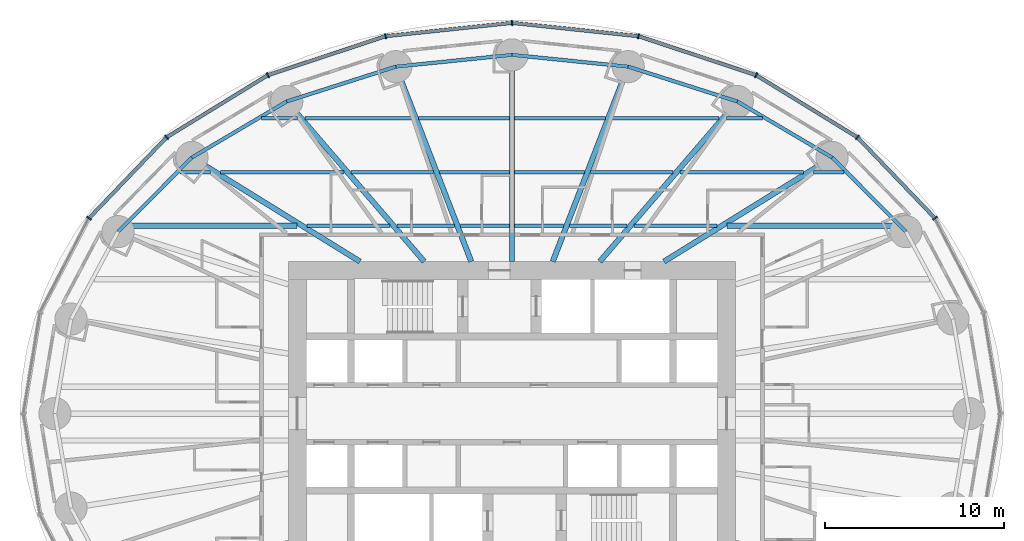
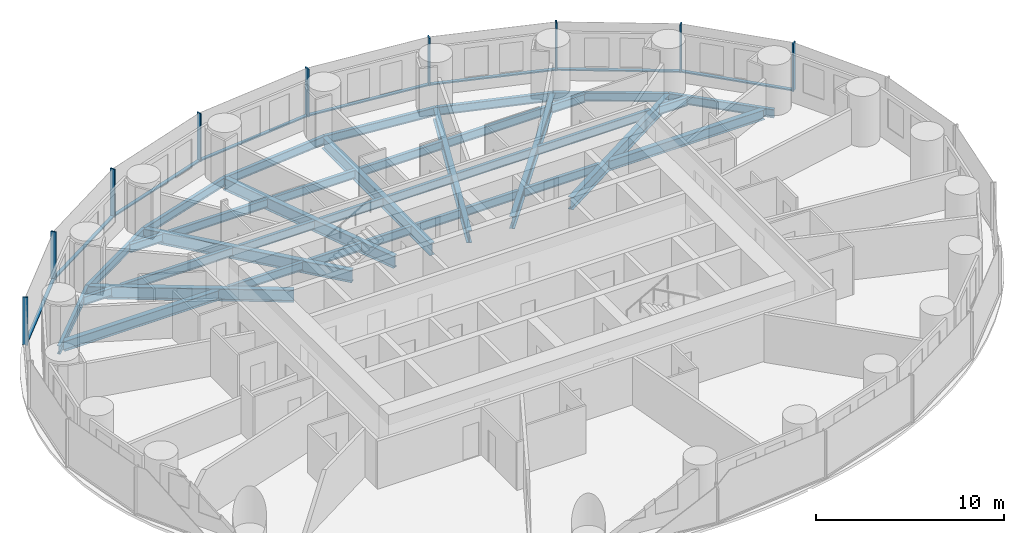
# One storey, part 4 of 13: 37 beams, 17 members, 2 elements without a shape of their own.
"""IFC4 building model written with IfcOpenShell, lengths in metres."""

from ifc_helpers import new_model, si_unit, direction, frame, origin, origin_2d, place, context, subcontext, project, spatial, rectangle, i_section, extrude, material, material_profile, profile_set, type_object, element, aggregate, save


model = new_model("IFC4")

# Units and contexts
model_context = context("Model", 3, precision=1e-05, world=origin(), true_north=direction((0.0, 1.0)))
body_context = subcontext(model_context, "Body", "Model", "MODEL_VIEW")
ifc_project = project(units=[si_unit("LENGTHUNIT", "METRE"), si_unit("AREAUNIT", "SQUARE_METRE"), si_unit("VOLUMEUNIT", "CUBIC_METRE"), si_unit("PLANEANGLEUNIT", "RADIAN"), si_unit("MASSUNIT", "GRAM", prefix="KILO")], contexts=[model_context])

# Site, building, storey
site_placement = place(None, origin())
site = spatial("IfcSite", under=ifc_project, at=site_placement, CompositionType="ELEMENT")
building_placement = place(site_placement, origin())
building = spatial("IfcBuilding", under=site, at=building_placement, Name="Hankou Lantern Tower", CompositionType="ELEMENT")
storey_placement = place(building_placement, frame((0.0, 0.0, 39.300048828125)))
storey = spatial("IfcBuildingStorey", under=building, at=storey_placement, Name="L08", CompositionType="ELEMENT", Elevation=39.300048828125)

# Beams
ifc_material_1 = material(Name="Steel Q355B", Category="steel")
ifc_material_profile_1 = material_profile(ifc_material_1, i_section(OverallWidth=0.199951171875, OverallDepth=0.550048828125, WebThickness=0.010009765625, FlangeThickness=0.01611328125, FilletRadius=0.012939453125, at=origin_2d()), Name="HN550x200x10x16")
ifc_profile_set_1 = profile_set([ifc_material_profile_1], Name="Steel Q355B")
beam_type_1 = type_object("IfcBeamType", Name="EB6 RING BEAM HN550x200x10x16", PredefinedType="SPANDREL", material=ifc_profile_set_1)
beam_1_placement = place(storey_placement, frame((22.01904296875, 10.170166015625, -0.455078125), z_axis=(-0.705727798394, 0.708483079949, 0.0), x_axis=(-0.708483079949, -0.705727798394, 0.0)))
element("IfcBeam", 1, at=beam_1_placement, inside=storey, type_object=beam_type_1, Name="Ring beam R03-R04 L08", PredefinedType="SPANDREL", context=body_context, shape_type="SweptSolid", body=[
    extrude(i_section(OverallWidth=0.199951171875, OverallDepth=0.550048828125, WebThickness=0.010009765625, FlangeThickness=0.01611328125, FilletRadius=0.012939453125, at=origin_2d()), origin(), (0.0, 0.0, 1.0), 5.84814453125),
])
beam_2_placement = place(storey_placement, frame((17.891845703125, 14.3134765625, -0.455078125), z_axis=(-0.860881533543, 0.508805449268, 0.0), x_axis=(-0.508805449268, -0.860881533543, 0.0)))
element("IfcBeam", 2, at=beam_2_placement, inside=storey, type_object=beam_type_1, Name="Ring beam R04-R05 L08", PredefinedType="SPANDREL", context=body_context, shape_type="SweptSolid", body=[
    extrude(i_section(OverallWidth=0.199951171875, OverallDepth=0.550048828125, WebThickness=0.010009765625, FlangeThickness=0.01611328125, FilletRadius=0.012939453125, at=origin_2d()), origin(), (0.0, 0.0, 1.0), 6.15771484375),
])
beam_3_placement = place(storey_placement, frame((12.5908203125, 17.446533203125, -0.455078125), z_axis=(-0.952690479428, 0.303942182671, 0.0), x_axis=(-0.303942182671, -0.952690479428, 0.0)))
element("IfcBeam", 3, at=beam_3_placement, inside=storey, type_object=beam_type_1, Name="Ring beam R05-R06 L08", PredefinedType="SPANDREL", context=body_context, shape_type="SweptSolid", body=[
    extrude(i_section(OverallWidth=0.199951171875, OverallDepth=0.550048828125, WebThickness=0.010009765625, FlangeThickness=0.01611328125, FilletRadius=0.012939453125, at=origin_2d()), origin(), (0.0, 0.0, 1.0), 6.398681640625),
])
for number, where, z_axis, x_axis, name in (
    (4, (6.494873046875, 19.391357421875, -0.455078125), (-0.994896616842, 0.100899562915, 0.0), (-0.100899562915, -0.994896616842, 0.0), "Ring beam R06-R07 L08"),
    (5, (0.0, 20.050048828125, -0.455078125), (-0.994896616842, -0.100899562915, 0.0), (0.100899562915, -0.994896616842, 0.0), "Ring beam R07-R08 L08"),
):
    element("IfcBeam", number, at=place(storey_placement, frame(where, z_axis=z_axis, x_axis=x_axis)), inside=storey, type_object=beam_type_1, Name=name, PredefinedType="SPANDREL", context=body_context, shape_type="SweptSolid", body=[
        extrude(i_section(OverallWidth=0.199951171875, OverallDepth=0.550048828125, WebThickness=0.010009765625, FlangeThickness=0.01611328125, FilletRadius=0.012939453125, at=origin_2d()), origin(), (0.0, 0.0, 1.0), 6.528076171875),
    ])
beam_4_placement = place(storey_placement, frame((-6.494873046875, 19.391357421875, -0.455078125), z_axis=(-0.952690479428, -0.303942182671, 0.0), x_axis=(0.303942182671, -0.952690479428, 0.0)))
element("IfcBeam", 6, at=beam_4_placement, inside=storey, type_object=beam_type_1, Name="Ring beam R08-R09 L08", PredefinedType="SPANDREL", context=body_context, shape_type="SweptSolid", body=[
    extrude(i_section(OverallWidth=0.199951171875, OverallDepth=0.550048828125, WebThickness=0.010009765625, FlangeThickness=0.01611328125, FilletRadius=0.012939453125, at=origin_2d()), origin(), (0.0, 0.0, 1.0), 6.398681640625),
])
beam_5_placement = place(storey_placement, frame((-12.5908203125, 17.446533203125, -0.455078125), z_axis=(-0.860881533543, -0.508805449268, 0.0), x_axis=(0.508805449268, -0.860881533543, 0.0)))
element("IfcBeam", 7, at=beam_5_placement, inside=storey, type_object=beam_type_1, Name="Ring beam R09-R10 L08", PredefinedType="SPANDREL", context=body_context, shape_type="SweptSolid", body=[
    extrude(i_section(OverallWidth=0.199951171875, OverallDepth=0.550048828125, WebThickness=0.010009765625, FlangeThickness=0.01611328125, FilletRadius=0.012939453125, at=origin_2d()), origin(), (0.0, 0.0, 1.0), 6.15771484375),
])
beam_6_placement = place(storey_placement, frame((-17.891845703125, 14.3134765625, -0.455078125), z_axis=(-0.705727798394, -0.708483079949, 0.0), x_axis=(0.708483079949, -0.705727798394, 0.0)))
element("IfcBeam", 8, at=beam_6_placement, inside=storey, type_object=beam_type_1, Name="Ring beam R10-R11 L08", PredefinedType="SPANDREL", context=body_context, shape_type="SweptSolid", body=[
    extrude(i_section(OverallWidth=0.199951171875, OverallDepth=0.550048828125, WebThickness=0.010009765625, FlangeThickness=0.01611328125, FilletRadius=0.012939453125, at=origin_2d()), origin(), (0.0, 0.0, 1.0), 5.84814453125),
])

# Curtain wall, members
ifc_material_2 = material(Name="Glass, dark grey tinted laminated", Category="glass")
curtain_wall_type = type_object("IfcCurtainWallType", Name="CWA OUTER SKIN LOW-RISE", PredefinedType="USERDEFINED", material=ifc_material_2)
curtain_wall_1_placement = place(storey_placement, origin())
curtain_wall_1 = element("IfcCurtainWall", 9, at=curtain_wall_1_placement, inside=storey, type_object=curtain_wall_type, Name="CWA L08 OS1", ObjectType="OUTER SKIN LOW-RISE", PredefinedType="USERDEFINED")
ifc_material_3 = material(Name="Aluminium, black anodised", Category="aluminium")
ifc_material_profile_2 = material_profile(ifc_material_3, rectangle(XDim=0.080078125, YDim=0.300048828125, at=origin_2d()), Name="MU1 80X300")
ifc_profile_set_2 = profile_set([ifc_material_profile_2], Name="Aluminium, black anodised")
member_type_1 = type_object("IfcMemberType", Name="MU1 OUTER SKIN MULLION 80X300", PredefinedType="MULLION", material=ifc_profile_set_2)
member_1_placement = place(storey_placement, frame((23.642578125, 10.919921875, 0.0), z_axis=(0.0, 0.0, 1.0), x_axis=(-0.585205735974, 0.810884854084, 0.0)))
member_1 = element("IfcMember", 10, at=member_1_placement, type_object=member_type_1, Name="CWA mullion 3", PredefinedType="MULLION", context=body_context, shape_type="SweptSolid", body=[
    extrude(rectangle(XDim=0.080078125, YDim=0.300048828125, at=origin_2d()), origin(), (0.0, 0.0, 1.0), 3.119873046875),
])
member_2_placement = place(storey_placement, frame((19.303955078125, 15.443115234375, 0.0), z_axis=(0.0, 0.0, 1.0), x_axis=(-0.780868809444, 0.624695047553, 0.0)))
member_2 = element("IfcMember", 11, at=member_2_placement, type_object=member_type_1, Name="CWA mullion 4", PredefinedType="MULLION", context=body_context, shape_type="SweptSolid", body=[
    extrude(rectangle(XDim=0.080078125, YDim=0.300048828125, at=origin_2d()), origin(), (0.0, 0.0, 1.0), 3.119873046875),
])
member_3_placement = place(storey_placement, frame((13.64990234375, 18.9140625, 0.0), z_axis=(0.0, 0.0, 1.0), x_axis=(-0.907841299004, 0.419313934686, 0.0)))
member_3 = element("IfcMember", 12, at=member_3_placement, type_object=member_type_1, Name="CWA mullion 5", PredefinedType="MULLION", context=body_context, shape_type="SweptSolid", body=[
    extrude(rectangle(XDim=0.080078125, YDim=0.300048828125, at=origin_2d()), origin(), (0.0, 0.0, 1.0), 3.119873046875),
])
member_4_placement = place(storey_placement, frame((7.065673828125, 21.095703125, 0.0), z_axis=(0.0, 0.0, 1.0), x_axis=(-0.977787659625, 0.209597931016, 0.0)))
member_4 = element("IfcMember", 13, at=member_4_placement, type_object=member_type_1, Name="CWA mullion 6", PredefinedType="MULLION", context=body_context, shape_type="SweptSolid", body=[
    extrude(rectangle(XDim=0.080078125, YDim=0.300048828125, at=origin_2d()), origin(), (0.0, 0.0, 1.0), 3.119873046875),
])

curtain_wall_2_placement = place(storey_placement, origin())
curtain_wall_2 = element("IfcCurtainWall", 14, at=curtain_wall_2_placement, inside=storey, type_object=curtain_wall_type, Name="CWA L08 OS2", ObjectType="OUTER SKIN LOW-RISE", PredefinedType="USERDEFINED")
member_5_placement = place(storey_placement, frame((0.0, 21.840087890625, 0.0), z_axis=(0.0, 0.0, 1.0), x_axis=(-0.994499359107, -0.104742659579, 0.0)))
member_5 = element("IfcMember", 15, at=member_5_placement, type_object=member_type_1, Name="CWA mullion 1", PredefinedType="MULLION", context=body_context, shape_type="SweptSolid", body=[
    extrude(rectangle(XDim=0.080078125, YDim=0.300048828125, at=origin_2d()), origin(), (0.0, 0.0, 1.0), 3.119873046875),
])
member_6_placement = place(storey_placement, frame((-7.065673828125, 21.095703125, 0.0), z_axis=(0.0, 0.0, 1.0), x_axis=(-0.977787659625, -0.209597931016, 0.0)))
member_6 = element("IfcMember", 16, at=member_6_placement, type_object=member_type_1, Name="CWA mullion 2", PredefinedType="MULLION", context=body_context, shape_type="SweptSolid", body=[
    extrude(rectangle(XDim=0.080078125, YDim=0.300048828125, at=origin_2d()), origin(), (0.0, 0.0, 1.0), 3.119873046875),
])
member_7_placement = place(storey_placement, frame((-13.64990234375, 18.9140625, 0.0), z_axis=(0.0, 0.0, 1.0), x_axis=(-0.907841299004, -0.419313934686, 0.0)))
member_7 = element("IfcMember", 17, at=member_7_placement, type_object=member_type_1, Name="CWA mullion 3", PredefinedType="MULLION", context=body_context, shape_type="SweptSolid", body=[
    extrude(rectangle(XDim=0.080078125, YDim=0.300048828125, at=origin_2d()), origin(), (0.0, 0.0, 1.0), 3.119873046875),
])
member_8_placement = place(storey_placement, frame((-19.303955078125, 15.443115234375, 0.0), z_axis=(0.0, 0.0, 1.0), x_axis=(-0.780868809444, -0.624695047553, 0.0)))
member_8 = element("IfcMember", 18, at=member_8_placement, type_object=member_type_1, Name="CWA mullion 4", PredefinedType="MULLION", context=body_context, shape_type="SweptSolid", body=[
    extrude(rectangle(XDim=0.080078125, YDim=0.300048828125, at=origin_2d()), origin(), (0.0, 0.0, 1.0), 3.119873046875),
])
member_9_placement = place(storey_placement, frame((-23.642578125, 10.919921875, 0.0), z_axis=(0.0, 0.0, 1.0), x_axis=(-0.585205735974, -0.810884854084, 0.0)))
member_9 = element("IfcMember", 19, at=member_9_placement, type_object=member_type_1, Name="CWA mullion 5", PredefinedType="MULLION", context=body_context, shape_type="SweptSolid", body=[
    extrude(rectangle(XDim=0.080078125, YDim=0.300048828125, at=origin_2d()), origin(), (0.0, 0.0, 1.0), 3.119873046875),
])

# Beams
ifc_material_4 = material(Name="Steel Q355B", Category="steel")
ifc_material_profile_3 = material_profile(ifc_material_4, i_section(OverallWidth=0.300048828125, OverallDepth=0.800048828125, WebThickness=0.013916015625, FlangeThickness=0.02587890625, FilletRadius=0.01806640625, at=origin_2d()), Name="HN800x300x14x26")
ifc_profile_set_3 = profile_set([ifc_material_profile_3], Name="Steel Q355B")
beam_type_2 = type_object("IfcBeamType", Name="RB11 RADIAL BEAM HN800x300x14x26", PredefinedType="BEAM", material=ifc_profile_set_3)
beam_7_placement = place(storey_placement, frame((8.5, 8.5, -0.580078125), z_axis=(0.850286343288, 0.526320372414, 0.0), x_axis=(-0.526320372414, 0.850286343288, 0.0)))
element("IfcBeam", 20, at=beam_7_placement, inside=storey, type_object=beam_type_2, Name="Radial beam R04 L08", PredefinedType="BEAM", context=body_context, shape_type="SweptSolid", body=[
    extrude(i_section(OverallWidth=0.300048828125, OverallDepth=0.800048828125, WebThickness=0.013916015625, FlangeThickness=0.02587890625, FilletRadius=0.01806640625, at=origin_2d()), origin(), (0.0, 0.0, 1.0), 11.04541015625),
])
beam_8_placement = place(storey_placement, frame((4.907470703125, 8.5, -0.580078125), z_axis=(0.651519061225, 0.758632264579, 0.0), x_axis=(-0.758632264579, 0.651519061225, 0.0)))
element("IfcBeam", 21, at=beam_8_placement, inside=storey, type_object=beam_type_2, Name="Radial beam R05 L08", PredefinedType="BEAM", context=body_context, shape_type="SweptSolid", body=[
    extrude(i_section(OverallWidth=0.300048828125, OverallDepth=0.800048828125, WebThickness=0.013916015625, FlangeThickness=0.02587890625, FilletRadius=0.01806640625, at=origin_2d()), origin(), (0.0, 0.0, 1.0), 11.79296875),
])
beam_9_placement = place(storey_placement, frame((2.277587890625, 8.5, -0.580078125), z_axis=(0.361089103374, 0.932531318201, 0.0), x_axis=(-0.932531318201, 0.361089103374, 0.0)))
element("IfcBeam", 22, at=beam_9_placement, inside=storey, type_object=beam_type_2, Name="Radial beam R06 L08", PredefinedType="BEAM", context=body_context, shape_type="SweptSolid", body=[
    extrude(i_section(OverallWidth=0.300048828125, OverallDepth=0.800048828125, WebThickness=0.013916015625, FlangeThickness=0.02587890625, FilletRadius=0.01806640625, at=origin_2d()), origin(), (0.0, 0.0, 1.0), 11.679443359375),
])
beam_10_placement = place(storey_placement, frame((0.0, 8.5, -0.580078125), z_axis=(0.0, 1.0, 0.0), x_axis=(-1.0, 0.0, 0.0)))
element("IfcBeam", 23, at=beam_10_placement, inside=storey, type_object=beam_type_2, Name="Radial beam R07 L08", PredefinedType="BEAM", context=body_context, shape_type="SweptSolid", body=[
    extrude(i_section(OverallWidth=0.300048828125, OverallDepth=0.800048828125, WebThickness=0.013916015625, FlangeThickness=0.02587890625, FilletRadius=0.01806640625, at=origin_2d()), origin(), (0.0, 0.0, 1.0), 11.550048828125),
])
beam_11_placement = place(storey_placement, frame((-2.277587890625, 8.5, -0.580078125), z_axis=(-0.361089103374, 0.932531318201, 0.0), x_axis=(-0.932531318201, -0.361089103374, 0.0)))
element("IfcBeam", 24, at=beam_11_placement, inside=storey, type_object=beam_type_2, Name="Radial beam R08 L08", PredefinedType="BEAM", context=body_context, shape_type="SweptSolid", body=[
    extrude(i_section(OverallWidth=0.300048828125, OverallDepth=0.800048828125, WebThickness=0.013916015625, FlangeThickness=0.02587890625, FilletRadius=0.01806640625, at=origin_2d()), origin(), (0.0, 0.0, 1.0), 11.679443359375),
])
beam_12_placement = place(storey_placement, frame((-4.907470703125, 8.5, -0.580078125), z_axis=(-0.651519061225, 0.758632264579, 0.0), x_axis=(-0.758632264579, -0.651519061225, 0.0)))
element("IfcBeam", 25, at=beam_12_placement, inside=storey, type_object=beam_type_2, Name="Radial beam R09 L08", PredefinedType="BEAM", context=body_context, shape_type="SweptSolid", body=[
    extrude(i_section(OverallWidth=0.300048828125, OverallDepth=0.800048828125, WebThickness=0.013916015625, FlangeThickness=0.02587890625, FilletRadius=0.01806640625, at=origin_2d()), origin(), (0.0, 0.0, 1.0), 11.79296875),
])
beam_13_placement = place(storey_placement, frame((-8.5, 8.5, -0.580078125), z_axis=(-0.850286343288, 0.526320372414, 0.0), x_axis=(-0.526320372414, -0.850286343288, 0.0)))
element("IfcBeam", 26, at=beam_13_placement, inside=storey, type_object=beam_type_2, Name="Radial beam R10 L08", PredefinedType="BEAM", context=body_context, shape_type="SweptSolid", body=[
    extrude(i_section(OverallWidth=0.300048828125, OverallDepth=0.800048828125, WebThickness=0.013916015625, FlangeThickness=0.02587890625, FilletRadius=0.01806640625, at=origin_2d()), origin(), (0.0, 0.0, 1.0), 11.04541015625),
])
ifc_material_5 = material(Name="Steel Q355B", Category="steel")
ifc_material_profile_4 = material_profile(ifc_material_5, i_section(OverallWidth=0.199951171875, OverallDepth=0.550048828125, WebThickness=0.010009765625, FlangeThickness=0.01611328125, FilletRadius=0.012939453125, at=origin_2d()), Name="HN550x200x10x16")
ifc_profile_set_4 = profile_set([ifc_material_profile_4], Name="Steel Q355B")
beam_type_3 = type_object("IfcBeamType", Name="SB6 SECONDARY BEAM HN550x200x10x16", PredefinedType="JOIST", material=ifc_profile_set_4)
beam_14_placement = place(storey_placement, frame((-11.446044921875, 10.5, -0.455078125), z_axis=(1.0, 0.0, 0.0), x_axis=(0.0, 1.0, 0.0)))
element("IfcBeam", 27, at=beam_14_placement, inside=storey, type_object=beam_type_3, Name="Floor joist J040 L08", PredefinedType="JOIST", context=body_context, shape_type="SweptSolid", body=[
    extrude(i_section(OverallWidth=0.199951171875, OverallDepth=0.550048828125, WebThickness=0.010009765625, FlangeThickness=0.01611328125, FilletRadius=0.012939453125, at=origin_2d()), origin(), (0.0, 0.0, 1.0), 4.623291015625),
])
beam_15_placement = place(storey_placement, frame((-6.427490234375, 10.5, -0.455078125), z_axis=(1.0, 0.0, 0.0), x_axis=(0.0, 1.0, 0.0)))
element("IfcBeam", 28, at=beam_15_placement, inside=storey, type_object=beam_type_3, Name="Floor joist J041 L08", PredefinedType="JOIST", context=body_context, shape_type="SweptSolid", body=[
    extrude(i_section(OverallWidth=0.199951171875, OverallDepth=0.550048828125, WebThickness=0.010009765625, FlangeThickness=0.01611328125, FilletRadius=0.012939453125, at=origin_2d()), origin(), (0.0, 0.0, 1.0), 3.214599609375),
])
for number, where, z_axis, x_axis, name in (
    (29, (-2.89111328125, 10.5, -0.455078125), (1.0, 0.0, 0.0), (0.0, 1.0, 0.0), "Floor joist J042 L08"),
    (30, (0.14990234375, 10.5, -0.455078125), (1.0, 0.0, 0.0), (0.0, 1.0, 0.0), "Floor joist J043 L08"),
):
    element("IfcBeam", number, at=place(storey_placement, frame(where, z_axis=z_axis, x_axis=x_axis)), inside=storey, type_object=beam_type_3, Name=name, PredefinedType="JOIST", context=body_context, shape_type="SweptSolid", body=[
        extrude(i_section(OverallWidth=0.199951171875, OverallDepth=0.550048828125, WebThickness=0.010009765625, FlangeThickness=0.01611328125, FilletRadius=0.012939453125, at=origin_2d()), origin(), (0.0, 0.0, 1.0), 2.7412109375),
    ])
beam_16_placement = place(storey_placement, frame((3.212890625, 10.5, -0.455078125), z_axis=(1.0, 0.0, 0.0), x_axis=(0.0, 1.0, 0.0)))
element("IfcBeam", 31, at=beam_16_placement, inside=storey, type_object=beam_type_3, Name="Floor joist J044 L08", PredefinedType="JOIST", context=body_context, shape_type="SweptSolid", body=[
    extrude(i_section(OverallWidth=0.199951171875, OverallDepth=0.550048828125, WebThickness=0.010009765625, FlangeThickness=0.01611328125, FilletRadius=0.012939453125, at=origin_2d()), origin(), (0.0, 0.0, 1.0), 3.214599609375),
])
beam_17_placement = place(storey_placement, frame((6.82275390625, 10.5, -0.455078125), z_axis=(1.0, 0.0, 0.0), x_axis=(0.0, 1.0, 0.0)))
element("IfcBeam", 32, at=beam_17_placement, inside=storey, type_object=beam_type_3, Name="Floor joist J045 L08", PredefinedType="JOIST", context=body_context, shape_type="SweptSolid", body=[
    extrude(i_section(OverallWidth=0.199951171875, OverallDepth=0.550048828125, WebThickness=0.010009765625, FlangeThickness=0.01611328125, FilletRadius=0.012939453125, at=origin_2d()), origin(), (0.0, 0.0, 1.0), 4.623291015625),
])
beam_18_placement = place(storey_placement, frame((-18.560791015625, 13.5, -0.455078125), z_axis=(1.0, 0.0, 0.0), x_axis=(0.0, 1.0, 0.0)))
element("IfcBeam", 33, at=beam_18_placement, inside=storey, type_object=beam_type_3, Name="Floor joist J047 L08", PredefinedType="JOIST", context=body_context, shape_type="SweptSolid", body=[
    extrude(i_section(OverallWidth=0.199951171875, OverallDepth=0.550048828125, WebThickness=0.010009765625, FlangeThickness=0.01611328125, FilletRadius=0.012939453125, at=origin_2d()), origin(), (0.0, 0.0, 1.0), 1.697998046875),
])
beam_19_placement = place(storey_placement, frame((-16.292724609375, 13.5, -0.455078125), z_axis=(1.0, 0.0, 0.0), x_axis=(0.0, 1.0, 0.0)))
element("IfcBeam", 34, at=beam_19_placement, inside=storey, type_object=beam_type_3, Name="Floor joist J048 L08", PredefinedType="JOIST", context=body_context, shape_type="SweptSolid", body=[
    extrude(i_section(OverallWidth=0.199951171875, OverallDepth=0.550048828125, WebThickness=0.010009765625, FlangeThickness=0.01611328125, FilletRadius=0.012939453125, at=origin_2d()), origin(), (0.0, 0.0, 1.0), 6.893310546875),
])
beam_20_placement = place(storey_placement, frame((-9.00390625, 13.5, -0.455078125), z_axis=(1.0, 0.0, 0.0), x_axis=(0.0, 1.0, 0.0)))
element("IfcBeam", 35, at=beam_20_placement, inside=storey, type_object=beam_type_3, Name="Floor joist J049 L08", PredefinedType="JOIST", context=body_context, shape_type="SweptSolid", body=[
    extrude(i_section(OverallWidth=0.199951171875, OverallDepth=0.550048828125, WebThickness=0.010009765625, FlangeThickness=0.01611328125, FilletRadius=0.012939453125, at=origin_2d()), origin(), (0.0, 0.0, 1.0), 4.62939453125),
])
for number, where, z_axis, x_axis, name in (
    (36, (-4.052734375, 13.5, -0.455078125), (1.0, 0.0, 0.0), (0.0, 1.0, 0.0), "Floor joist J050 L08"),
    (37, (0.14990234375, 13.5, -0.455078125), (1.0, 0.0, 0.0), (0.0, 1.0, 0.0), "Floor joist J051 L08"),
):
    element("IfcBeam", number, at=place(storey_placement, frame(where, z_axis=z_axis, x_axis=x_axis)), inside=storey, type_object=beam_type_3, Name=name, PredefinedType="JOIST", context=body_context, shape_type="SweptSolid", body=[
        extrude(i_section(OverallWidth=0.199951171875, OverallDepth=0.550048828125, WebThickness=0.010009765625, FlangeThickness=0.01611328125, FilletRadius=0.012939453125, at=origin_2d()), origin(), (0.0, 0.0, 1.0), 3.90283203125),
    ])
beam_21_placement = place(storey_placement, frame((4.37451171875, 13.5, -0.455078125), z_axis=(1.0, 0.0, 0.0), x_axis=(0.0, 1.0, 0.0)))
element("IfcBeam", 38, at=beam_21_placement, inside=storey, type_object=beam_type_3, Name="Floor joist J052 L08", PredefinedType="JOIST", context=body_context, shape_type="SweptSolid", body=[
    extrude(i_section(OverallWidth=0.199951171875, OverallDepth=0.550048828125, WebThickness=0.010009765625, FlangeThickness=0.01611328125, FilletRadius=0.012939453125, at=origin_2d()), origin(), (0.0, 0.0, 1.0), 4.62939453125),
])
beam_22_placement = place(storey_placement, frame((9.3994140625, 13.5, -0.455078125), z_axis=(1.0, 0.0, 0.0), x_axis=(0.0, 1.0, 0.0)))
element("IfcBeam", 39, at=beam_22_placement, inside=storey, type_object=beam_type_3, Name="Floor joist J053 L08", PredefinedType="JOIST", context=body_context, shape_type="SweptSolid", body=[
    extrude(i_section(OverallWidth=0.199951171875, OverallDepth=0.550048828125, WebThickness=0.010009765625, FlangeThickness=0.01611328125, FilletRadius=0.012939453125, at=origin_2d()), origin(), (0.0, 0.0, 1.0), 6.893310546875),
])
beam_23_placement = place(storey_placement, frame((16.86279296875, 13.5, -0.455078125), z_axis=(1.0, 0.0, 0.0), x_axis=(0.0, 1.0, 0.0)))
element("IfcBeam", 40, at=beam_23_placement, inside=storey, type_object=beam_type_3, Name="Floor joist J054 L08", PredefinedType="JOIST", context=body_context, shape_type="SweptSolid", body=[
    extrude(i_section(OverallWidth=0.199951171875, OverallDepth=0.550048828125, WebThickness=0.010009765625, FlangeThickness=0.01611328125, FilletRadius=0.012939453125, at=origin_2d()), origin(), (0.0, 0.0, 1.0), 1.697998046875),
])
beam_24_placement = place(storey_placement, frame((-13.99560546875, 16.5, -0.455078125), z_axis=(1.0, 0.0, 0.0), x_axis=(0.0, 1.0, 0.0)))
element("IfcBeam", 41, at=beam_24_placement, inside=storey, type_object=beam_type_3, Name="Floor joist J055 L08", PredefinedType="JOIST", context=body_context, shape_type="SweptSolid", body=[
    extrude(i_section(OverallWidth=0.199951171875, OverallDepth=0.550048828125, WebThickness=0.010009765625, FlangeThickness=0.01611328125, FilletRadius=0.012939453125, at=origin_2d()), origin(), (0.0, 0.0, 1.0), 2.019775390625),
])
beam_25_placement = place(storey_placement, frame((-11.580322265625, 16.5, -0.455078125), z_axis=(1.0, 0.0, 0.0), x_axis=(0.0, 1.0, 0.0)))
element("IfcBeam", 42, at=beam_25_placement, inside=storey, type_object=beam_type_3, Name="Floor joist J056 L08", PredefinedType="JOIST", context=body_context, shape_type="SweptSolid", body=[
    extrude(i_section(OverallWidth=0.199951171875, OverallDepth=0.550048828125, WebThickness=0.010009765625, FlangeThickness=0.01611328125, FilletRadius=0.012939453125, at=origin_2d()), origin(), (0.0, 0.0, 1.0), 6.044189453125),
])
for number, where, z_axis, x_axis, name in (
    (43, (-5.21435546875, 16.5, -0.455078125), (1.0, 0.0, 0.0), (0.0, 1.0, 0.0), "Floor joist J057 L08"),
    (44, (0.14990234375, 16.5, -0.455078125), (1.0, 0.0, 0.0), (0.0, 1.0, 0.0), "Floor joist J058 L08"),
):
    element("IfcBeam", number, at=place(storey_placement, frame(where, z_axis=z_axis, x_axis=x_axis)), inside=storey, type_object=beam_type_3, Name=name, PredefinedType="JOIST", context=body_context, shape_type="SweptSolid", body=[
        extrude(i_section(OverallWidth=0.199951171875, OverallDepth=0.550048828125, WebThickness=0.010009765625, FlangeThickness=0.01611328125, FilletRadius=0.012939453125, at=origin_2d()), origin(), (0.0, 0.0, 1.0), 5.064453125),
    ])
beam_26_placement = place(storey_placement, frame((5.5361328125, 16.5, -0.455078125), z_axis=(1.0, 0.0, 0.0), x_axis=(0.0, 1.0, 0.0)))
element("IfcBeam", 45, at=beam_26_placement, inside=storey, type_object=beam_type_3, Name="Floor joist J059 L08", PredefinedType="JOIST", context=body_context, shape_type="SweptSolid", body=[
    extrude(i_section(OverallWidth=0.199951171875, OverallDepth=0.550048828125, WebThickness=0.010009765625, FlangeThickness=0.01611328125, FilletRadius=0.012939453125, at=origin_2d()), origin(), (0.0, 0.0, 1.0), 6.044189453125),
])
beam_27_placement = place(storey_placement, frame((11.975830078125, 16.5, -0.455078125), z_axis=(1.0, 0.0, 0.0), x_axis=(0.0, 1.0, 0.0)))
element("IfcBeam", 46, at=beam_27_placement, inside=storey, type_object=beam_type_3, Name="Floor joist J060 L08", PredefinedType="JOIST", context=body_context, shape_type="SweptSolid", body=[
    extrude(i_section(OverallWidth=0.199951171875, OverallDepth=0.550048828125, WebThickness=0.010009765625, FlangeThickness=0.01611328125, FilletRadius=0.012939453125, at=origin_2d()), origin(), (0.0, 0.0, 1.0), 2.019775390625),
])
ifc_material_6 = material(Name="Steel Q355B", Category="steel")
ifc_material_profile_5 = material_profile(ifc_material_6, i_section(OverallWidth=0.300048828125, OverallDepth=0.64990234375, WebThickness=0.010986328125, FlangeThickness=0.01708984375, FilletRadius=0.01806640625, at=origin_2d()), Name="HN650x300x11x17")
ifc_profile_set_5 = profile_set([ifc_material_profile_5], Name="Steel Q355B")
beam_type_4 = type_object("IfcBeamType", Name="SB8 SECONDARY BEAM HN650x300x11x17", PredefinedType="JOIST", material=ifc_profile_set_5)
for number, where, z_axis, x_axis, name in (
    (47, (-21.54931640625, 10.5, -0.505126953125), (1.0, 0.0, 0.0), (0.0, 1.0, 0.0), "Floor joist J039 L08"),
    (48, (12.01611328125, 10.5, -0.505126953125), (1.0, 0.0, 0.0), (0.0, 1.0, 0.0), "Floor joist J046 L08"),
):
    element("IfcBeam", number, at=place(storey_placement, frame(where, z_axis=z_axis, x_axis=x_axis)), inside=storey, type_object=beam_type_4, Name=name, PredefinedType="JOIST", context=body_context, shape_type="SweptSolid", body=[
        extrude(i_section(OverallWidth=0.300048828125, OverallDepth=0.64990234375, WebThickness=0.010986328125, FlangeThickness=0.01708984375, FilletRadius=0.01806640625, at=origin_2d()), origin(), (0.0, 0.0, 1.0), 9.533203125),
    ])

# Member
ifc_material_7 = material(Name="Aluminium, black anodised", Category="aluminium")
ifc_material_profile_6 = material_profile(ifc_material_7, rectangle(XDim=0.199951171875, YDim=0.080078125, at=origin_2d()), Name="TR1 200X80")
ifc_profile_set_6 = profile_set([ifc_material_profile_6], Name="Aluminium, black anodised")
member_type_2 = type_object("IfcMemberType", Name="TR1 OUTER SKIN TRANSOM 200X80", PredefinedType="USERDEFINED", material=ifc_profile_set_6)
member_10_placement = place(storey_placement, frame((23.61474609375, 10.948974609375, 0.0400390625), z_axis=(-0.692215537374, 0.721690827029, 0.0), x_axis=(-0.721690827029, -0.692215537374, 0.0)))
member_10 = element("IfcMember", 49, at=member_10_placement, type_object=member_type_2, Name="CWA transom 3", ObjectType="TRANSOM", PredefinedType="USERDEFINED", context=body_context, shape_type="SweptSolid", body=[
    extrude(rectangle(XDim=0.199951171875, YDim=0.080078125, at=origin_2d()), origin(), (0.0, 0.0, 1.0), 6.187255859375),
])

member_11_placement = place(storey_placement, frame((19.27001953125, 15.464111328125, 0.0400390625), z_axis=(-0.85223969557, 0.523151508929, 0.0), x_axis=(-0.523151508929, -0.85223969557, 0.0)))
member_11 = element("IfcMember", 50, at=member_11_placement, type_object=member_type_2, Name="CWA transom 4", ObjectType="TRANSOM", PredefinedType="USERDEFINED", context=body_context, shape_type="SweptSolid", body=[
    extrude(rectangle(XDim=0.199951171875, YDim=0.080078125, at=origin_2d()), origin(), (0.0, 0.0, 1.0), 6.554443359375),
])

member_12_placement = place(storey_placement, frame((13.612060546875, 18.926513671875, 0.0400390625), z_axis=(-0.949237318771, 0.314560825044, 0.0), x_axis=(-0.314560825044, -0.949237318771, 0.0)))
member_12 = element("IfcMember", 51, at=member_12_placement, type_object=member_type_2, Name="CWA transom 5", ObjectType="TRANSOM", PredefinedType="USERDEFINED", context=body_context, shape_type="SweptSolid", body=[
    extrude(rectangle(XDim=0.199951171875, YDim=0.080078125, at=origin_2d()), origin(), (0.0, 0.0, 1.0), 6.8564453125),
])

member_13_placement = place(storey_placement, frame((7.02587890625, 21.10009765625, 0.0400390625), z_axis=(-0.994502215033, 0.104715539888, 0.0), x_axis=(-0.104715539888, -0.994502215033, 0.0)))
member_13 = element("IfcMember", 52, at=member_13_placement, type_object=member_type_2, Name="CWA transom 6", ObjectType="TRANSOM", PredefinedType="USERDEFINED", context=body_context, shape_type="SweptSolid", body=[
    extrude(rectangle(XDim=0.199951171875, YDim=0.080078125, at=origin_2d()), origin(), (0.0, 0.0, 1.0), 7.024658203125),
])

aggregate(curtain_wall_1, [member_1, member_2, member_3, member_4, member_10, member_11, member_12, member_13])

member_14_placement = place(storey_placement, frame((-0.039794921875, 21.835693359375, 0.0400390625), z_axis=(-0.994502215033, -0.104715539888, 0.0), x_axis=(0.104715539888, -0.994502215033, 0.0)))
member_14 = element("IfcMember", 53, at=member_14_placement, type_object=member_type_2, Name="CWA transom 1", ObjectType="TRANSOM", PredefinedType="USERDEFINED", context=body_context, shape_type="SweptSolid", body=[
    extrude(rectangle(XDim=0.199951171875, YDim=0.080078125, at=origin_2d()), origin(), (0.0, 0.0, 1.0), 7.024658203125),
])

member_15_placement = place(storey_placement, frame((-7.103759765625, 21.083251953125, 0.0400390625), z_axis=(-0.949237318771, -0.314560825044, 0.0), x_axis=(0.314560825044, -0.949237318771, 0.0)))
member_15 = element("IfcMember", 54, at=member_15_placement, type_object=member_type_2, Name="CWA transom 2", ObjectType="TRANSOM", PredefinedType="USERDEFINED", context=body_context, shape_type="SweptSolid", body=[
    extrude(rectangle(XDim=0.199951171875, YDim=0.080078125, at=origin_2d()), origin(), (0.0, 0.0, 1.0), 6.8564453125),
])

member_16_placement = place(storey_placement, frame((-13.68408203125, 18.89306640625, 0.0400390625), z_axis=(-0.85223969557, -0.523151508929, 0.0), x_axis=(0.523151508929, -0.85223969557, 0.0)))
member_16 = element("IfcMember", 55, at=member_16_placement, type_object=member_type_2, Name="CWA transom 3", ObjectType="TRANSOM", PredefinedType="USERDEFINED", context=body_context, shape_type="SweptSolid", body=[
    extrude(rectangle(XDim=0.199951171875, YDim=0.080078125, at=origin_2d()), origin(), (0.0, 0.0, 1.0), 6.554443359375),
])

member_17_placement = place(storey_placement, frame((-19.331787109375, 15.414306640625, 0.0400390625), z_axis=(-0.692215537374, -0.721690827029, 0.0), x_axis=(0.721690827029, -0.692215537374, 0.0)))
member_17 = element("IfcMember", 56, at=member_17_placement, type_object=member_type_2, Name="CWA transom 4", ObjectType="TRANSOM", PredefinedType="USERDEFINED", context=body_context, shape_type="SweptSolid", body=[
    extrude(rectangle(XDim=0.199951171875, YDim=0.080078125, at=origin_2d()), origin(), (0.0, 0.0, 1.0), 6.187255859375),
])

aggregate(curtain_wall_2, [member_5, member_6, member_7, member_8, member_9, member_14, member_15, member_16, member_17])

save(model, "model.ifc")
